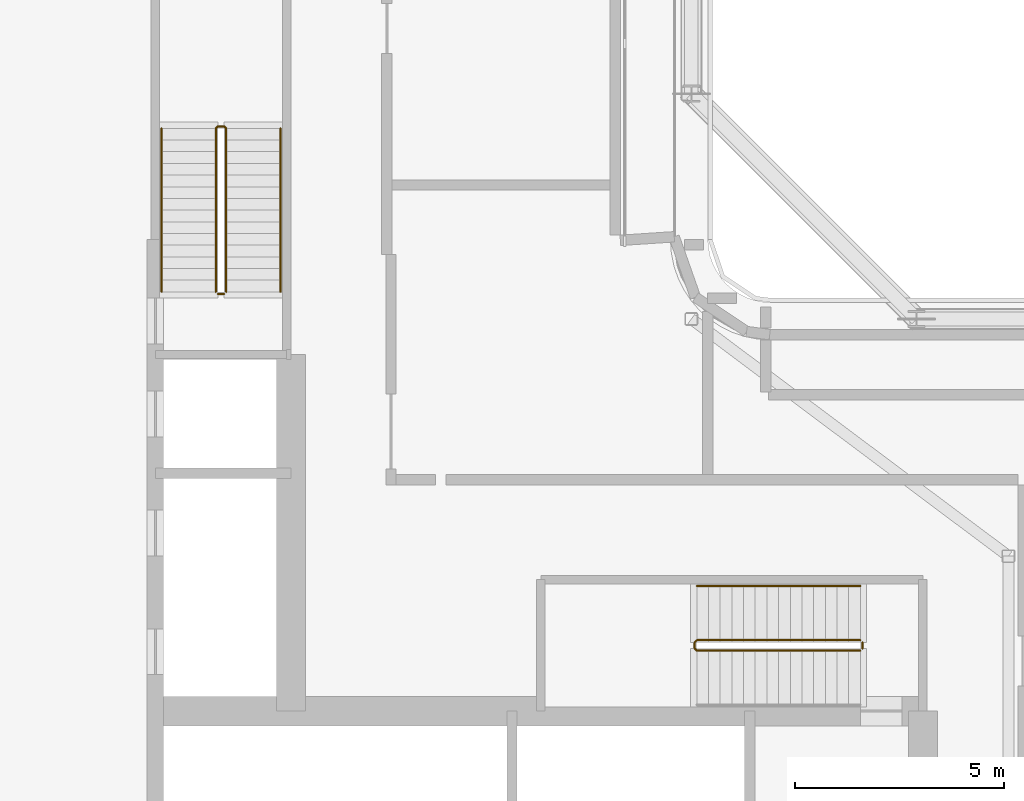
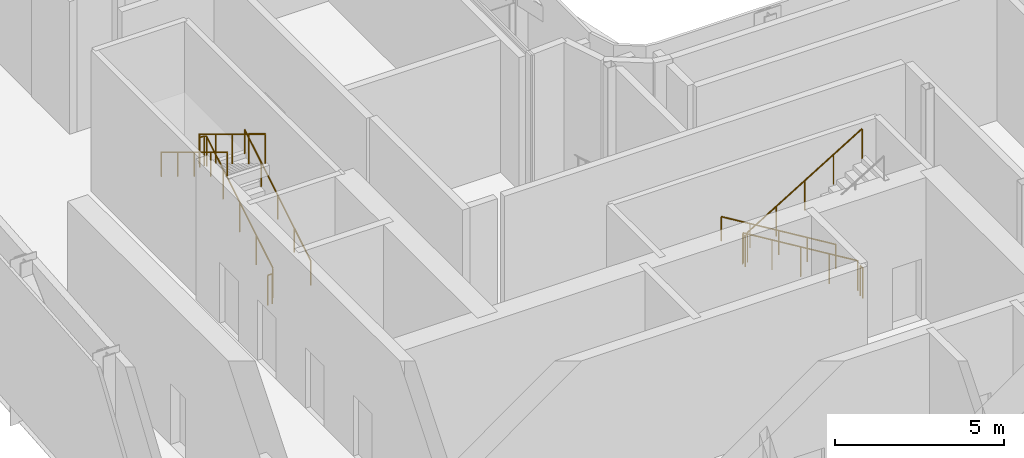
# One storey, part 18 of 23: 7 railings.
"""IFC4 building model written with IfcOpenShell, lengths in metres."""

from ifc_helpers import new_model, si_unit, direction, frame, origin, origin_2d, place, context, subcontext, project, spatial, circle, extrude, material, type_object, element, save


model = new_model("IFC4")

# Units and contexts
model_context = context("Model", 3, precision=1e-05, world=origin(), true_north=direction((0.0, 1.0)))
body_context = subcontext(model_context, "Body", "Model", "MODEL_VIEW")
ifc_project = project(units=[si_unit("LENGTHUNIT", "METRE"), si_unit("AREAUNIT", "SQUARE_METRE"), si_unit("VOLUMEUNIT", "CUBIC_METRE"), si_unit("PLANEANGLEUNIT", "RADIAN"), si_unit("MASSUNIT", "GRAM", prefix="KILO")], contexts=[model_context])

# Site, building, storey
site_placement = place(None, origin())
site = spatial("IfcSite", under=ifc_project, at=site_placement, CompositionType="ELEMENT")
building_placement = place(site_placement, origin())
building = spatial("IfcBuilding", under=site, at=building_placement, Name="Kheshtan School and Residences Tower", CompositionType="ELEMENT")
storey_placement = place(building_placement, frame((0.0, 0.0, 211.10009765625)))
storey = spatial("IfcBuildingStorey", under=building, at=storey_placement, Name="L49", CompositionType="ELEMENT", Elevation=211.10009765625)

# Railings
ifc_material_1 = material(Name="Stainless steel balustrade", Category="steel")
railing_type_1 = type_object("IfcRailingType", Name="Stair guard 1100", PredefinedType="GUARDRAIL", material=ifc_material_1)
railing_1_placement = place(storey_placement, frame((51.64990234375, 37.89990234375, 0.169921875)))
element("IfcRailing", 1, at=railing_1_placement, inside=storey, type_object=railing_type_1, Name="L49 ST1 stair guard 1", PredefinedType="GUARDRAIL", context=body_context, shape_type="SweptSolid", body=[
    extrude(circle(Radius=0.02392578125, at=origin_2d()), frame((0.0, 0.0, 1.076171875), z_axis=(-0.854794262968, 0.0, 0.518967020143), x_axis=(0.0, -1.0, 0.0)), (0.0, 0.0, 1.0), 4.585693359375),
    extrude(circle(Radius=0.02392578125, at=origin_2d()), frame((-3.919921875, 0.0, 3.4560546875), z_axis=(-0.708833529934, -0.705375805398, 0.0), x_axis=(0.705375805398, -0.708833529934, 0.0)), (0.0, 0.0, 1.0), 0.070556640625),
    extrude(circle(Radius=0.02392578125, at=origin_2d()), frame((-3.969970703125, -0.0498046875, 3.4560546875), z_axis=(0.0, -1.0, 0.0), x_axis=(1.0, 0.0, 0.0)), (0.0, 0.0, 1.0), 0.150146484375),
    extrude(circle(Radius=0.02392578125, at=origin_2d()), frame((-3.969970703125, -0.199951171875, 3.4560546875), z_axis=(0.271562723297, -0.271562723297, 0.923313259209), x_axis=(0.707106781187, 0.707106781187, 0.0)), (0.0, 0.0, 1.0), 0.184326171875),
    extrude(circle(Radius=0.02392578125, at=origin_2d()), frame((-3.919921875, -0.25, 3.6259765625), z_axis=(0.854794262968, 0.0, 0.518967020143), x_axis=(0.0, 1.0, 0.0)), (0.0, 0.0, 1.0), 4.585693359375),
    extrude(circle(Radius=0.02099609375, at=origin_2d()), origin(), (0.0, 0.0, 1.0), 1.052001953125),
    extrude(circle(Radius=0.02099609375, at=origin_2d()), frame((-0.97998046875, 0.0, 0.594970703125)), (0.0, 0.0, 1.0), 1.052001953125),
    extrude(circle(Radius=0.02099609375, at=origin_2d()), frame((-1.9599609375, 0.0, 1.18994140625)), (0.0, 0.0, 1.0), 1.052001953125),
    extrude(circle(Radius=0.02099609375, at=origin_2d()), frame((-2.93994140625, 0.0, 1.784912109375)), (0.0, 0.0, 1.0), 1.052001953125),
    extrude(circle(Radius=0.02099609375, at=origin_2d()), frame((-3.919921875, 0.0, 2.3798828125)), (0.0, 0.0, 1.0), 1.052001953125),
    extrude(circle(Radius=0.02099609375, at=origin_2d()), frame((-3.969970703125, -0.0498046875, 2.3798828125)), (0.0, 0.0, 1.0), 1.052001953125),
    extrude(circle(Radius=0.02099609375, at=origin_2d()), frame((-3.969970703125, -0.199951171875, 2.3798828125)), (0.0, 0.0, 1.0), 1.052001953125),
    extrude(circle(Radius=0.02099609375, at=origin_2d()), frame((-3.919921875, -0.25, 2.550048828125)), (0.0, 0.0, 1.0), 1.052001953125),
    extrude(circle(Radius=0.02099609375, at=origin_2d()), frame((-2.93994140625, -0.25, 3.14501953125)), (0.0, 0.0, 1.0), 1.052001953125),
    extrude(circle(Radius=0.02099609375, at=origin_2d()), frame((-1.9599609375, -0.25, 3.739990234375)), (0.0, 0.0, 1.0), 1.052001953125),
    extrude(circle(Radius=0.02099609375, at=origin_2d()), frame((-0.97998046875, -0.25, 4.3349609375)), (0.0, 0.0, 1.0), 1.052001953125),
    extrude(circle(Radius=0.02099609375, at=origin_2d()), frame((0.0, -0.25, 4.929931640625)), (0.0, 0.0, 1.0), 1.052001953125),
])
railing_2_placement = place(storey_placement, frame((51.699951171875, 37.85009765625, 0.0)))
element("IfcRailing", 2, at=railing_2_placement, inside=storey, type_object=railing_type_1, Name="L49 ST1 stair guard 2", PredefinedType="GUARDRAIL", context=body_context, shape_type="SweptSolid", body=[
    extrude(circle(Radius=0.02392578125, at=origin_2d()), frame((0.0, 0.0, 1.076171875), z_axis=(0.0, -1.0, 0.0), x_axis=(1.0, 0.0, 0.0)), (0.0, 0.0, 1.0), 0.150146484375),
    extrude(circle(Radius=0.02099609375, at=origin_2d()), origin(), (0.0, 0.0, 1.0), 1.052001953125),
    extrude(circle(Radius=0.02099609375, at=origin_2d()), frame((0.0, -0.150146484375, 0.0)), (0.0, 0.0, 1.0), 1.052001953125),
])
railing_3_placement = place(storey_placement, frame((36.449951171875, 46.25, 0.169921875)))
element("IfcRailing", 3, at=railing_3_placement, inside=storey, type_object=railing_type_1, Name="L49 ST2 stair guard 1", PredefinedType="GUARDRAIL", context=body_context, shape_type="SweptSolid", body=[
    extrude(circle(Radius=0.02392578125, at=origin_2d()), frame((0.0, 0.0, 1.076171875), z_axis=(0.0, 0.854794262968, 0.518967020143), x_axis=(-1.0, 0.0, 0.0)), (0.0, 0.0, 1.0), 4.585693359375),
    extrude(circle(Radius=0.02392578125, at=origin_2d()), frame((0.0, 3.919921875, 3.4560546875), z_axis=(-0.707106781187, 0.707106781187, 0.0), x_axis=(-0.707106781187, -0.707106781187, 0.0)), (0.0, 0.0, 1.0), 0.07080078125),
    extrude(circle(Radius=0.02392578125, at=origin_2d()), frame((-0.050048828125, 3.969970703125, 3.4560546875), z_axis=(-1.0, 0.0, 0.0), x_axis=(0.0, -1.0, 0.0)), (0.0, 0.0, 1.0), 0.14990234375),
    extrude(circle(Radius=0.02392578125, at=origin_2d()), frame((-0.199951171875, 3.969970703125, 3.4560546875), z_axis=(-0.271562723297, -0.271562723297, 0.923313259209), x_axis=(0.707106781187, -0.707106781187, 0.0)), (0.0, 0.0, 1.0), 0.184326171875),
    extrude(circle(Radius=0.02392578125, at=origin_2d()), frame((-0.25, 3.919921875, 3.6259765625), z_axis=(0.0, -0.854794262968, 0.518967020143), x_axis=(1.0, 0.0, 0.0)), (0.0, 0.0, 1.0), 4.585693359375),
    extrude(circle(Radius=0.02099609375, at=origin_2d()), origin(), (0.0, 0.0, 1.0), 1.052001953125),
    extrude(circle(Radius=0.02099609375, at=origin_2d()), frame((0.0, 0.97998046875, 0.594970703125)), (0.0, 0.0, 1.0), 1.052001953125),
    extrude(circle(Radius=0.02099609375, at=origin_2d()), frame((0.0, 1.9599609375, 1.18994140625)), (0.0, 0.0, 1.0), 1.052001953125),
    extrude(circle(Radius=0.02099609375, at=origin_2d()), frame((0.0, 2.93994140625, 1.784912109375)), (0.0, 0.0, 1.0), 1.052001953125),
    extrude(circle(Radius=0.02099609375, at=origin_2d()), frame((0.0, 3.919921875, 2.3798828125)), (0.0, 0.0, 1.0), 1.052001953125),
    extrude(circle(Radius=0.02099609375, at=origin_2d()), frame((-0.050048828125, 3.969970703125, 2.3798828125)), (0.0, 0.0, 1.0), 1.052001953125),
    extrude(circle(Radius=0.02099609375, at=origin_2d()), frame((-0.199951171875, 3.969970703125, 2.3798828125)), (0.0, 0.0, 1.0), 1.052001953125),
    extrude(circle(Radius=0.02099609375, at=origin_2d()), frame((-0.25, 3.919921875, 2.550048828125)), (0.0, 0.0, 1.0), 1.052001953125),
    extrude(circle(Radius=0.02099609375, at=origin_2d()), frame((-0.25, 2.93994140625, 3.14501953125)), (0.0, 0.0, 1.0), 1.052001953125),
    extrude(circle(Radius=0.02099609375, at=origin_2d()), frame((-0.25, 1.9599609375, 3.739990234375)), (0.0, 0.0, 1.0), 1.052001953125),
    extrude(circle(Radius=0.02099609375, at=origin_2d()), frame((-0.25, 0.97998046875, 4.3349609375)), (0.0, 0.0, 1.0), 1.052001953125),
    extrude(circle(Radius=0.02099609375, at=origin_2d()), frame((-0.25, 0.0, 4.929931640625)), (0.0, 0.0, 1.0), 1.052001953125),
])
railing_4_placement = place(storey_placement, frame((36.39990234375, 46.199951171875, 0.0)))
element("IfcRailing", 4, at=railing_4_placement, inside=storey, type_object=railing_type_1, Name="L49 ST2 stair guard 2", PredefinedType="GUARDRAIL", context=body_context, shape_type="SweptSolid", body=[
    extrude(circle(Radius=0.02392578125, at=origin_2d()), frame((0.0, 0.0, 1.076171875), z_axis=(-1.0, 0.0, 0.0), x_axis=(0.0, -1.0, 0.0)), (0.0, 0.0, 1.0), 0.14990234375),
    extrude(circle(Radius=0.02099609375, at=origin_2d()), origin(), (0.0, 0.0, 1.0), 1.052001953125),
    extrude(circle(Radius=0.02099609375, at=origin_2d()), frame((-0.14990234375, 0.0, 0.0)), (0.0, 0.0, 1.0), 1.052001953125),
])
ifc_material_2 = material(Name="Stainless steel handrail", Category="steel")
railing_type_2 = type_object("IfcRailingType", Name="Stair handrail 900", PredefinedType="HANDRAIL", material=ifc_material_2)
railing_5_placement = place(storey_placement, frame((51.64990234375, 39.199951171875, 0.169921875)))
element("IfcRailing", 5, at=railing_5_placement, inside=storey, type_object=railing_type_2, Name="L49 ST1 stair handrail 1", PredefinedType="HANDRAIL", context=body_context, shape_type="SweptSolid", body=[
    extrude(circle(Radius=0.02392578125, at=origin_2d()), frame((0.0, 0.0, 0.8759765625), z_axis=(-0.854794262968, 0.0, 0.518967020143), x_axis=(0.0, -1.0, 0.0)), (0.0, 0.0, 1.0), 4.585693359375),
    extrude(circle(Radius=0.02099609375, at=origin_2d()), origin(), (0.0, 0.0, 1.0), 0.851806640625),
    extrude(circle(Radius=0.02099609375, at=origin_2d()), frame((-0.97998046875, 0.0, 0.594970703125)), (0.0, 0.0, 1.0), 0.851806640625),
    extrude(circle(Radius=0.02099609375, at=origin_2d()), frame((-1.9599609375, 0.0, 1.18994140625)), (0.0, 0.0, 1.0), 0.851806640625),
    extrude(circle(Radius=0.02099609375, at=origin_2d()), frame((-2.93994140625, 0.0, 1.784912109375)), (0.0, 0.0, 1.0), 0.851806640625),
    extrude(circle(Radius=0.02099609375, at=origin_2d()), frame((-3.919921875, 0.0, 2.3798828125)), (0.0, 0.0, 1.0), 0.851806640625),
])
railing_6_placement = place(storey_placement, frame((37.75, 46.25, 0.169921875)))
element("IfcRailing", 6, at=railing_6_placement, inside=storey, type_object=railing_type_2, Name="L49 ST2 stair handrail 1", PredefinedType="HANDRAIL", context=body_context, shape_type="SweptSolid", body=[
    extrude(circle(Radius=0.02392578125, at=origin_2d()), frame((0.0, 0.0, 0.8759765625), z_axis=(0.0, 0.854794262968, 0.518967020143), x_axis=(-1.0, 0.0, 0.0)), (0.0, 0.0, 1.0), 4.585693359375),
    extrude(circle(Radius=0.02099609375, at=origin_2d()), origin(), (0.0, 0.0, 1.0), 0.851806640625),
    extrude(circle(Radius=0.02099609375, at=origin_2d()), frame((0.0, 0.97998046875, 0.594970703125)), (0.0, 0.0, 1.0), 0.851806640625),
    extrude(circle(Radius=0.02099609375, at=origin_2d()), frame((0.0, 1.9599609375, 1.18994140625)), (0.0, 0.0, 1.0), 0.851806640625),
    extrude(circle(Radius=0.02099609375, at=origin_2d()), frame((0.0, 2.93994140625, 1.784912109375)), (0.0, 0.0, 1.0), 0.851806640625),
    extrude(circle(Radius=0.02099609375, at=origin_2d()), frame((0.0, 3.919921875, 2.3798828125)), (0.0, 0.0, 1.0), 0.851806640625),
])
railing_7_placement = place(storey_placement, frame((34.89990234375, 50.169921875, 2.719970703125)))
element("IfcRailing", 7, at=railing_7_placement, inside=storey, type_object=railing_type_2, Name="L49 ST2 stair handrail 2", PredefinedType="HANDRAIL", context=body_context, shape_type="SweptSolid", body=[
    extrude(circle(Radius=0.02392578125, at=origin_2d()), frame((0.0, 0.0, 0.8759765625), z_axis=(0.0, -0.854794262968, 0.518967020143), x_axis=(1.0, 0.0, 0.0)), (0.0, 0.0, 1.0), 4.585693359375),
    extrude(circle(Radius=0.02099609375, at=origin_2d()), origin(), (0.0, 0.0, 1.0), 0.851806640625),
    extrude(circle(Radius=0.02099609375, at=origin_2d()), frame((0.0, -0.97998046875, 0.594970703125)), (0.0, 0.0, 1.0), 0.851806640625),
    extrude(circle(Radius=0.02099609375, at=origin_2d()), frame((0.0, -1.9599609375, 1.18994140625)), (0.0, 0.0, 1.0), 0.851806640625),
    extrude(circle(Radius=0.02099609375, at=origin_2d()), frame((0.0, -2.93994140625, 1.784912109375)), (0.0, 0.0, 1.0), 0.851806640625),
    extrude(circle(Radius=0.02099609375, at=origin_2d()), frame((0.0, -3.919921875, 2.3798828125)), (0.0, 0.0, 1.0), 0.851806640625),
])

save(model, "model.ifc")
